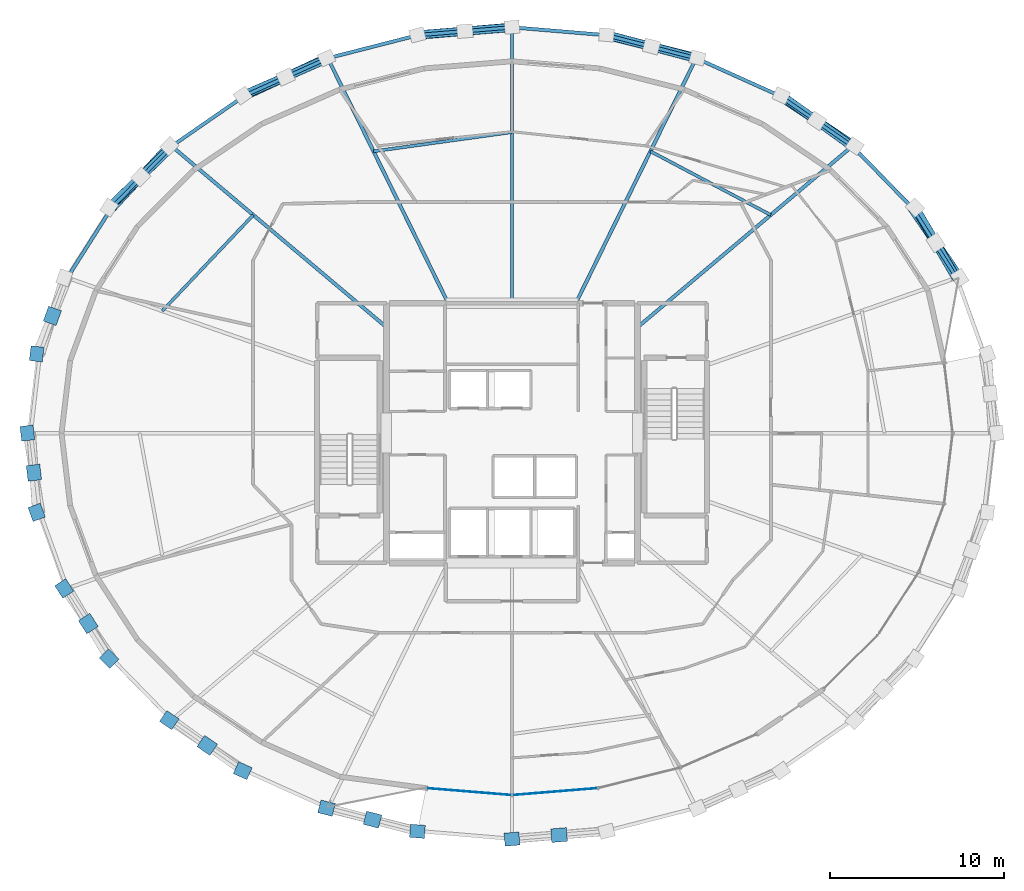
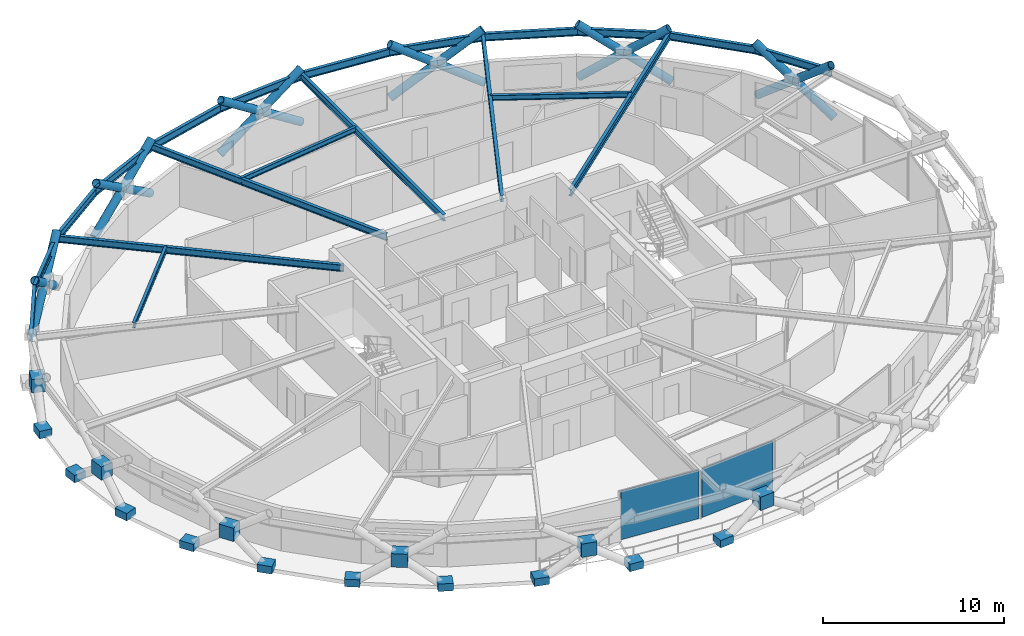
# One storey, part 11 of 17: 20 beams, 18 members, 18 plates, 1 element without a shape of its own.
"""IFC4 building model written with IfcOpenShell, lengths in metres."""

from ifc_helpers import new_model, si_unit, direction, frame, origin, origin_2d, place, context, subcontext, project, spatial, rectangle, hollow_circle, i_section, extrude, material, layer, layer_set, material_profile, profile_set, type_object, element, aggregate, save


model = new_model("IFC4")

# Units and contexts
model_context = context("Model", 3, precision=1e-05, world=origin(), true_north=direction((0.0, 1.0)))
body_context = subcontext(model_context, "Body", "Model", "MODEL_VIEW")
ifc_project = project(units=[si_unit("LENGTHUNIT", "METRE"), si_unit("AREAUNIT", "SQUARE_METRE"), si_unit("VOLUMEUNIT", "CUBIC_METRE"), si_unit("PLANEANGLEUNIT", "RADIAN"), si_unit("MASSUNIT", "GRAM", prefix="KILO")], contexts=[model_context])

# Site, building, storey
site_placement = place(None, origin())
site = spatial("IfcSite", under=ifc_project, at=site_placement, CompositionType="ELEMENT")
building_placement = place(site_placement, origin())
building = spatial("IfcBuilding", under=site, at=building_placement, Name="Veldorina Hangang Commons", CompositionType="ELEMENT")
storey_placement = place(building_placement, frame((0.0, 0.0, 178.39990234375)))
storey = spatial("IfcBuildingStorey", under=building, at=storey_placement, Name="L46", CompositionType="ELEMENT", Elevation=178.39990234375)

# Beams
ifc_material_1 = material(Name="Steel SM355-TMC", Category="steel")
ifc_material_profile_1 = material_profile(ifc_material_1, i_section(OverallWidth=0.199951171875, OverallDepth=0.449951171875, WebThickness=0.009033203125, FlangeThickness=0.013916015625, FilletRadius=0.01611328125, at=origin_2d()), Name="H-450x200x9x14")
ifc_profile_set_1 = profile_set([ifc_material_profile_1], Name="Steel SM355-TMC")
beam_type_1 = type_object("IfcBeamType", Name="BM-FG450", PredefinedType="BEAM", material=ifc_profile_set_1)
beam_1_placement = place(storey_placement, frame((39.199951171875, 30.07080078125, 3.125), z_axis=(0.764510758787, 0.644610967715, 0.0), x_axis=(-0.644610967715, 0.764510758787, 0.0)))
element("IfcBeam", 1, at=beam_1_placement, inside=storey, type_object=beam_type_1, Name="L46 radial floor girder 03", PredefinedType="BEAM", context=body_context, shape_type="SweptSolid", body=[
    extrude(i_section(OverallWidth=0.199951171875, OverallDepth=0.449951171875, WebThickness=0.009033203125, FlangeThickness=0.013916015625, FilletRadius=0.01611328125, at=origin_2d()), origin(), (0.0, 0.0, 1.0), 16.116455078125),
])
beam_2_placement = place(storey_placement, frame((35.659912109375, 31.449951171875, 3.125), z_axis=(0.440929218385, 0.897541878897, 0.0), x_axis=(-0.897541878897, 0.440929218385, 0.0)))
element("IfcBeam", 2, at=beam_2_placement, inside=storey, type_object=beam_type_1, Name="L46 radial floor girder 04", PredefinedType="BEAM", context=body_context, shape_type="SweptSolid", body=[
    extrude(i_section(OverallWidth=0.199951171875, OverallDepth=0.449951171875, WebThickness=0.009033203125, FlangeThickness=0.013916015625, FilletRadius=0.01611328125, at=origin_2d()), origin(), (0.0, 0.0, 1.0), 15.66015625),
])
beam_3_placement = place(storey_placement, frame((32.0, 31.449951171875, 3.125), z_axis=(0.0, 1.0, 0.0), x_axis=(-1.0, 0.0, 0.0)))
element("IfcBeam", 3, at=beam_3_placement, inside=storey, type_object=beam_type_1, Name="L46 radial floor girder 05", PredefinedType="BEAM", context=body_context, shape_type="SweptSolid", body=[
    extrude(i_section(OverallWidth=0.199951171875, OverallDepth=0.449951171875, WebThickness=0.009033203125, FlangeThickness=0.013916015625, FilletRadius=0.01611328125, at=origin_2d()), origin(), (0.0, 0.0, 1.0), 15.82763671875),
])
beam_4_placement = place(storey_placement, frame((28.340087890625, 31.449951171875, 3.125), z_axis=(-0.440929218385, 0.897541878897, 0.0), x_axis=(-0.897541878897, -0.440929218385, 0.0)))
element("IfcBeam", 4, at=beam_4_placement, inside=storey, type_object=beam_type_1, Name="L46 radial floor girder 06", PredefinedType="BEAM", context=body_context, shape_type="SweptSolid", body=[
    extrude(i_section(OverallWidth=0.199951171875, OverallDepth=0.449951171875, WebThickness=0.009033203125, FlangeThickness=0.013916015625, FilletRadius=0.01611328125, at=origin_2d()), origin(), (0.0, 0.0, 1.0), 15.66015625),
])
beam_5_placement = place(storey_placement, frame((24.800048828125, 30.07080078125, 3.125), z_axis=(-0.764510758787, 0.644610967715, 0.0), x_axis=(-0.644610967715, -0.764510758787, 0.0)))
element("IfcBeam", 5, at=beam_5_placement, inside=storey, type_object=beam_type_1, Name="L46 radial floor girder 07", PredefinedType="BEAM", context=body_context, shape_type="SweptSolid", body=[
    extrude(i_section(OverallWidth=0.199951171875, OverallDepth=0.449951171875, WebThickness=0.009033203125, FlangeThickness=0.013916015625, FilletRadius=0.01611328125, at=origin_2d()), origin(), (0.0, 0.0, 1.0), 16.116455078125),
])
ifc_material_profile_2 = material_profile(ifc_material_1, i_section(OverallWidth=0.175048828125, OverallDepth=0.35009765625, WebThickness=0.007080078125, FlangeThickness=0.010986328125, FilletRadius=0.012939453125, at=origin_2d()), Name="H-350x175x7x11")
ifc_profile_set_2 = profile_set([ifc_material_profile_2], Name="Steel SM355-TMC")
beam_type_2 = type_object("IfcBeamType", Name="BM-JST350", PredefinedType="JOIST", material=ifc_profile_set_2)
beam_6_placement = place(storey_placement, frame((46.839111328125, 36.511962890625, 3.175048828125), z_axis=(-0.883755960147, 0.467948077146, 0.0), x_axis=(-0.467948077146, -0.883755960147, 0.0)))
element("IfcBeam", 6, at=beam_6_placement, inside=storey, type_object=beam_type_2, Name="L46 secondary floor joist 03", PredefinedType="JOIST", context=body_context, shape_type="SweptSolid", body=[
    extrude(i_section(OverallWidth=0.175048828125, OverallDepth=0.35009765625, WebThickness=0.007080078125, FlangeThickness=0.010986328125, FilletRadius=0.012939453125, at=origin_2d()), origin(), (0.0, 0.0, 1.0), 7.805419921875),
])
beam_7_placement = place(storey_placement, frame((32.0, 41.262939453125, 3.175048828125), z_axis=(-0.990568889635, -0.137015600888, 0.0), x_axis=(0.137015600888, -0.990568889635, 0.0)))
element("IfcBeam", 7, at=beam_7_placement, inside=storey, type_object=beam_type_2, Name="L46 secondary floor joist 05", PredefinedType="JOIST", context=body_context, shape_type="SweptSolid", body=[
    extrude(i_section(OverallWidth=0.175048828125, OverallDepth=0.35009765625, WebThickness=0.007080078125, FlangeThickness=0.010986328125, FilletRadius=0.012939453125, at=origin_2d()), origin(), (0.0, 0.0, 1.0), 8.0166015625),
])
beam_8_placement = place(storey_placement, frame((17.160888671875, 36.511962890625, 3.175048828125), z_axis=(-0.688250446363, -0.725473171855, 0.0), x_axis=(0.725473171855, -0.688250446363, 0.0)))
element("IfcBeam", 8, at=beam_8_placement, inside=storey, type_object=beam_type_2, Name="L46 secondary floor joist 07", PredefinedType="JOIST", context=body_context, shape_type="SweptSolid", body=[
    extrude(i_section(OverallWidth=0.175048828125, OverallDepth=0.35009765625, WebThickness=0.007080078125, FlangeThickness=0.010986328125, FilletRadius=0.012939453125, at=origin_2d()), origin(), (0.0, 0.0, 1.0), 7.588623046875),
])
ifc_material_2 = material(Name="Steel SM420-TMC", Category="steel")
ifc_material_profile_3 = material_profile(ifc_material_2, i_section(OverallWidth=0.199951171875, OverallDepth=0.5, WebThickness=0.010009765625, FlangeThickness=0.01611328125, FilletRadius=0.01611328125, at=origin_2d()), Name="H-500x200x10x16")
ifc_profile_set_3 = profile_set([ifc_material_profile_3], Name="Steel SM420-TMC")
beam_type_3 = type_object("IfcBeamType", Name="BM-RB500", PredefinedType="BEAM", material=ifc_profile_set_3)
beam_9_placement = place(storey_placement, frame((57.505859375, 32.907958984375, 3.10009765625), z_axis=(-0.535445761576, 0.844569616083, 0.0), x_axis=(-0.844569616083, -0.535445761576, 0.0)))
element("IfcBeam", 9, at=beam_9_placement, inside=storey, type_object=beam_type_3, Name="L46 perimeter hoop ring beam 02", PredefinedType="BEAM", context=body_context, shape_type="SweptSolid", body=[
    extrude(i_section(OverallWidth=0.199951171875, OverallDepth=0.5, WebThickness=0.010009765625, FlangeThickness=0.01611328125, FilletRadius=0.01611328125, at=origin_2d()), origin(), (0.0, 0.0, 1.0), 4.7646484375),
])
beam_10_placement = place(storey_placement, frame((54.95458984375, 36.93212890625, 3.10009765625), z_axis=(-0.69746994306, 0.716614037351, 0.0), x_axis=(-0.716614037351, -0.69746994306, 0.0)))
element("IfcBeam", 10, at=beam_10_placement, inside=storey, type_object=beam_type_3, Name="L46 perimeter hoop ring beam 03", PredefinedType="BEAM", context=body_context, shape_type="SweptSolid", body=[
    extrude(i_section(OverallWidth=0.199951171875, OverallDepth=0.5, WebThickness=0.010009765625, FlangeThickness=0.01611328125, FilletRadius=0.01611328125, at=origin_2d()), origin(), (0.0, 0.0, 1.0), 4.922607421875),
])
beam_11_placement = place(storey_placement, frame((51.521240234375, 40.459716796875, 3.10009765625), z_axis=(-0.822335555999, 0.56900284124, 0.0), x_axis=(-0.56900284124, -0.822335555999, 0.0)))
element("IfcBeam", 11, at=beam_11_placement, inside=storey, type_object=beam_type_3, Name="L46 perimeter hoop ring beam 04", PredefinedType="BEAM", context=body_context, shape_type="SweptSolid", body=[
    extrude(i_section(OverallWidth=0.199951171875, OverallDepth=0.5, WebThickness=0.010009765625, FlangeThickness=0.01611328125, FilletRadius=0.01611328125, at=origin_2d()), origin(), (0.0, 0.0, 1.0), 5.08740234375),
])
beam_12_placement = place(storey_placement, frame((47.337646484375, 43.3544921875, 3.10009765625), z_axis=(-0.911677889798, 0.410905615991, 0.0), x_axis=(-0.410905615991, -0.911677889798, 0.0)))
element("IfcBeam", 12, at=beam_12_placement, inside=storey, type_object=beam_type_3, Name="L46 perimeter hoop ring beam 05", PredefinedType="BEAM", context=body_context, shape_type="SweptSolid", body=[
    extrude(i_section(OverallWidth=0.199951171875, OverallDepth=0.5, WebThickness=0.010009765625, FlangeThickness=0.01611328125, FilletRadius=0.01611328125, at=origin_2d()), origin(), (0.0, 0.0, 1.0), 5.235107421875),
])
beam_13_placement = place(storey_placement, frame((42.56494140625, 45.505615234375, 3.10009765625), z_axis=(-0.968820043196, 0.247765461478, 0.0), x_axis=(-0.247765461478, -0.968820043196, 0.0)))
element("IfcBeam", 13, at=beam_13_placement, inside=storey, type_object=beam_type_3, Name="L46 perimeter hoop ring beam 06", PredefinedType="BEAM", context=body_context, shape_type="SweptSolid", body=[
    extrude(i_section(OverallWidth=0.199951171875, OverallDepth=0.5, WebThickness=0.010009765625, FlangeThickness=0.01611328125, FilletRadius=0.01611328125, at=origin_2d()), origin(), (0.0, 0.0, 1.0), 5.345703125),
])
for number, where, z_axis, x_axis, name in (
    (14, (37.385986328125, 46.830078125, 3.10009765625), (-0.996565978673, 0.082802476719, 0.0), (-0.082802476719, -0.996565978673, 0.0), "L46 perimeter hoop ring beam 07"),
    (15, (32.0, 47.277587890625, 3.10009765625), (-0.996565978673, -0.082802476719, 0.0), (0.082802476719, -0.996565978673, 0.0), "L46 perimeter hoop ring beam 08"),
):
    element("IfcBeam", number, at=place(storey_placement, frame(where, z_axis=z_axis, x_axis=x_axis)), inside=storey, type_object=beam_type_3, Name=name, PredefinedType="BEAM", context=body_context, shape_type="SweptSolid", body=[
        extrude(i_section(OverallWidth=0.199951171875, OverallDepth=0.5, WebThickness=0.010009765625, FlangeThickness=0.01611328125, FilletRadius=0.01611328125, at=origin_2d()), origin(), (0.0, 0.0, 1.0), 5.404541015625),
    ])
beam_14_placement = place(storey_placement, frame((26.614013671875, 46.830078125, 3.10009765625), z_axis=(-0.968820043196, -0.247765461478, 0.0), x_axis=(0.247765461478, -0.968820043196, 0.0)))
element("IfcBeam", 16, at=beam_14_placement, inside=storey, type_object=beam_type_3, Name="L46 perimeter hoop ring beam 09", PredefinedType="BEAM", context=body_context, shape_type="SweptSolid", body=[
    extrude(i_section(OverallWidth=0.199951171875, OverallDepth=0.5, WebThickness=0.010009765625, FlangeThickness=0.01611328125, FilletRadius=0.01611328125, at=origin_2d()), origin(), (0.0, 0.0, 1.0), 5.345703125),
])
beam_15_placement = place(storey_placement, frame((21.43505859375, 45.505615234375, 3.10009765625), z_axis=(-0.911677889798, -0.410905615991, 0.0), x_axis=(0.410905615991, -0.911677889798, 0.0)))
element("IfcBeam", 17, at=beam_15_placement, inside=storey, type_object=beam_type_3, Name="L46 perimeter hoop ring beam 10", PredefinedType="BEAM", context=body_context, shape_type="SweptSolid", body=[
    extrude(i_section(OverallWidth=0.199951171875, OverallDepth=0.5, WebThickness=0.010009765625, FlangeThickness=0.01611328125, FilletRadius=0.01611328125, at=origin_2d()), origin(), (0.0, 0.0, 1.0), 5.235107421875),
])
beam_16_placement = place(storey_placement, frame((16.662353515625, 43.3544921875, 3.10009765625), z_axis=(-0.822335555999, -0.56900284124, 0.0), x_axis=(0.56900284124, -0.822335555999, 0.0)))
element("IfcBeam", 18, at=beam_16_placement, inside=storey, type_object=beam_type_3, Name="L46 perimeter hoop ring beam 11", PredefinedType="BEAM", context=body_context, shape_type="SweptSolid", body=[
    extrude(i_section(OverallWidth=0.199951171875, OverallDepth=0.5, WebThickness=0.010009765625, FlangeThickness=0.01611328125, FilletRadius=0.01611328125, at=origin_2d()), origin(), (0.0, 0.0, 1.0), 5.08740234375),
])
beam_17_placement = place(storey_placement, frame((12.478759765625, 40.459716796875, 3.10009765625), z_axis=(-0.69746994306, -0.716614037351, 0.0), x_axis=(0.716614037351, -0.69746994306, 0.0)))
element("IfcBeam", 19, at=beam_17_placement, inside=storey, type_object=beam_type_3, Name="L46 perimeter hoop ring beam 12", PredefinedType="BEAM", context=body_context, shape_type="SweptSolid", body=[
    extrude(i_section(OverallWidth=0.199951171875, OverallDepth=0.5, WebThickness=0.010009765625, FlangeThickness=0.01611328125, FilletRadius=0.01611328125, at=origin_2d()), origin(), (0.0, 0.0, 1.0), 4.922607421875),
])
beam_18_placement = place(storey_placement, frame((9.04541015625, 36.93212890625, 3.10009765625), z_axis=(-0.535445761576, -0.844569616083, 0.0), x_axis=(0.844569616083, -0.535445761576, 0.0)))
element("IfcBeam", 20, at=beam_18_placement, inside=storey, type_object=beam_type_3, Name="L46 perimeter hoop ring beam 13", PredefinedType="BEAM", context=body_context, shape_type="SweptSolid", body=[
    extrude(i_section(OverallWidth=0.199951171875, OverallDepth=0.5, WebThickness=0.010009765625, FlangeThickness=0.01611328125, FilletRadius=0.01611328125, at=origin_2d()), origin(), (0.0, 0.0, 1.0), 4.7646484375),
])

# Members
ifc_material_profile_4 = material_profile(ifc_material_2, hollow_circle(Radius=0.25, WallThickness=0.02490234375, at=origin_2d()), Name="CHS-500x25")
ifc_profile_set_4 = profile_set([ifc_material_profile_4], Name="Steel SM420-TMC")
member_type = type_object("IfcMemberType", Name="DG-CHS500", PredefinedType="BRACE", material=ifc_profile_set_4)
member_1_placement = place(storey_placement, frame((57.683349609375, 32.911865234375, 0.0), z_axis=(-0.4546737108, 0.663453689144, 0.594223038151), x_axis=(-0.82488305035, -0.565303416976, 0.0)))
element("IfcMember", 21, at=member_1_placement, inside=storey, type_object=member_type, Name="L46 continuous perimeter diagrid brace 02", PredefinedType="BRACE", context=body_context, shape_type="SweptSolid", body=[
    extrude(hollow_circle(Radius=0.25, WallThickness=0.02490234375, at=origin_2d()), origin(), (0.0, 0.0, 1.0), 6.05859375),
])
member_2_placement = place(storey_placement, frame((55.114501953125, 36.93798828125, 0.0), z_axis=(0.40290023416, -0.68194564567, 0.610427340202), x_axis=(0.86096393169, 0.508666008623, 0.0)))
element("IfcMember", 22, at=member_2_placement, inside=storey, type_object=member_type, Name="L46 split perimeter diagrid lower brace 03", PredefinedType="BRACE", context=body_context, shape_type="SweptSolid", body=[
    extrude(hollow_circle(Radius=0.25, WallThickness=0.02490234375, at=origin_2d()), origin(), (0.0, 0.0, 1.0), 2.952880859375),
])
member_3_placement = place(storey_placement, frame((56.30419921875, 34.92431640625, 1.802490234375), z_axis=(0.398192130952, -0.684817524132, 0.610301552915), x_axis=(0.864483924419, 0.502660466341, 0.0)))
element("IfcMember", 23, at=member_3_placement, inside=storey, type_object=member_type, Name="L46 split perimeter diagrid upper brace 03", PredefinedType="BRACE", context=body_context, shape_type="SweptSolid", body=[
    extrude(hollow_circle(Radius=0.25, WallThickness=0.02490234375, at=origin_2d()), origin(), (0.0, 0.0, 1.0), 2.945556640625),
])
member_4_placement = place(storey_placement, frame((51.6572265625, 40.467041015625, 0.0), z_axis=(-0.684863587426, 0.455766056801, 0.56854126331), x_axis=(-0.554018631447, -0.832504267862, 0.0)))
element("IfcMember", 24, at=member_4_placement, inside=storey, type_object=member_type, Name="L46 continuous perimeter diagrid brace 04", PredefinedType="BRACE", context=body_context, shape_type="SweptSolid", body=[
    extrude(hollow_circle(Radius=0.25, WallThickness=0.02490234375, at=origin_2d()), origin(), (0.0, 0.0, 1.0), 6.332275390625),
])
member_5_placement = place(storey_placement, frame((47.444580078125, 43.36328125, 0.0), z_axis=(0.66080123505, -0.469874955829, 0.585285617149), x_axis=(0.579500732718, 0.814971717779, 0.0)))
element("IfcMember", 25, at=member_5_placement, inside=storey, type_object=member_type, Name="L46 split perimeter diagrid lower brace 05", PredefinedType="BRACE", context=body_context, shape_type="SweptSolid", body=[
    extrude(hollow_circle(Radius=0.25, WallThickness=0.02490234375, at=origin_2d()), origin(), (0.0, 0.0, 1.0), 3.084228515625),
])
member_6_placement = place(storey_placement, frame((49.482666015625, 41.9140625, 1.80517578125), z_axis=(0.657494644734, -0.47457422178, 0.585217993715), x_axis=(0.585261146322, 0.810844862231, 0.0)))
element("IfcMember", 26, at=member_6_placement, inside=storey, type_object=member_type, Name="L46 split perimeter diagrid upper brace 05", PredefinedType="BRACE", context=body_context, shape_type="SweptSolid", body=[
    extrude(hollow_circle(Radius=0.25, WallThickness=0.02490234375, at=origin_2d()), origin(), (0.0, 0.0, 1.0), 3.067138671875),
])
member_7_placement = place(storey_placement, frame((42.638427734375, 45.51513671875, 0.0), z_axis=(-0.808163623325, 0.201862681345, 0.553283847419), x_axis=(-0.242334248689, -0.970192822027, 0.0)))
element("IfcMember", 27, at=member_7_placement, inside=storey, type_object=member_type, Name="L46 continuous perimeter diagrid brace 06", PredefinedType="BRACE", context=body_context, shape_type="SweptSolid", body=[
    extrude(hollow_circle(Radius=0.25, WallThickness=0.02490234375, at=origin_2d()), origin(), (0.0, 0.0, 1.0), 6.5068359375),
])
member_8_placement = place(storey_placement, frame((37.42333984375, 46.84033203125, 0.0), z_axis=(0.800900537084, -0.207095418499, 0.561845011845), x_axis=(0.250344263178, 0.968156882893, 0.0)))
element("IfcMember", 28, at=member_8_placement, inside=storey, type_object=member_type, Name="L46 split perimeter diagrid lower brace 07", PredefinedType="BRACE", context=body_context, shape_type="SweptSolid", body=[
    extrude(hollow_circle(Radius=0.25, WallThickness=0.02490234375, at=origin_2d()), origin(), (0.0, 0.0, 1.0), 3.216064453125),
])
member_9_placement = place(storey_placement, frame((39.9990234375, 46.17431640625, 1.806884765625), z_axis=(0.80015503123, -0.210039739581, 0.56181423424), x_axis=(0.253897047158, 0.967231249208, 0.0)))
element("IfcMember", 29, at=member_9_placement, inside=storey, type_object=member_type, Name="L46 split perimeter diagrid upper brace 07", PredefinedType="BRACE", context=body_context, shape_type="SweptSolid", body=[
    extrude(hollow_circle(Radius=0.25, WallThickness=0.02490234375, at=origin_2d()), origin(), (0.0, 0.0, 1.0), 3.19189453125),
])
member_10_placement = place(storey_placement, frame((32.0, 47.287841796875, 0.0), z_axis=(-0.82900240349, -0.070763910009, 0.554749929291), x_axis=(0.085051024646, -0.996376597079, 0.0)))
element("IfcMember", 30, at=member_10_placement, inside=storey, type_object=member_type, Name="L46 continuous perimeter diagrid brace 08", PredefinedType="BRACE", context=body_context, shape_type="SweptSolid", body=[
    extrude(hollow_circle(Radius=0.25, WallThickness=0.02490234375, at=origin_2d()), origin(), (0.0, 0.0, 1.0), 6.489501953125),
])
member_11_placement = place(storey_placement, frame((26.57666015625, 46.84033203125, 0.0), z_axis=(0.831309140132, 0.066269173743, 0.551845549175), x_axis=(-0.079464554195, 0.996837692218, 0.0)))
element("IfcMember", 31, at=member_11_placement, inside=storey, type_object=member_type, Name="L46 split perimeter diagrid lower brace 09", PredefinedType="BRACE", context=body_context, shape_type="SweptSolid", body=[
    extrude(hollow_circle(Radius=0.25, WallThickness=0.02490234375, at=origin_2d()), origin(), (0.0, 0.0, 1.0), 3.275146484375),
])
member_12_placement = place(storey_placement, frame((29.29931640625, 47.057373046875, 1.807373046875), z_axis=(0.831263004139, 0.067255504312, 0.551795718622), x_axis=(-0.080644092399, 0.996742961029, 0.0)))
element("IfcMember", 32, at=member_12_placement, inside=storey, type_object=member_type, Name="L46 split perimeter diagrid upper brace 09", PredefinedType="BRACE", context=body_context, shape_type="SweptSolid", body=[
    extrude(hollow_circle(Radius=0.25, WallThickness=0.02490234375, at=origin_2d()), origin(), (0.0, 0.0, 1.0), 3.248779296875),
])
member_13_placement = place(storey_placement, frame((21.361572265625, 45.51513671875, 0.0), z_axis=(-0.744436346632, -0.343765162466, 0.572398496581), x_axis=(0.419238290102, -0.907876233918, 0.0)))
element("IfcMember", 33, at=member_13_placement, inside=storey, type_object=member_type, Name="L46 continuous perimeter diagrid brace 10", PredefinedType="BRACE", context=body_context, shape_type="SweptSolid", body=[
    extrude(hollow_circle(Radius=0.25, WallThickness=0.02490234375, at=origin_2d()), origin(), (0.0, 0.0, 1.0), 6.28955078125),
])
member_14_placement = place(storey_placement, frame((16.555419921875, 43.36328125, 0.0), z_axis=(0.760537743423, 0.330284200348, 0.559012243005), x_axis=(-0.398336194431, 0.917239486833, 0.0)))
element("IfcMember", 34, at=member_14_placement, inside=storey, type_object=member_type, Name="L46 split perimeter diagrid lower brace 11", PredefinedType="BRACE", context=body_context, shape_type="SweptSolid", body=[
    extrude(hollow_circle(Radius=0.25, WallThickness=0.02490234375, at=origin_2d()), origin(), (0.0, 0.0, 1.0), 3.23095703125),
])
member_15_placement = place(storey_placement, frame((19.0126953125, 44.430419921875, 1.80615234375), z_axis=(0.75863480377, 0.334541894712, 0.559066145632), x_axis=(-0.403488832696, 0.914984569209, 0.0)))
element("IfcMember", 35, at=member_15_placement, inside=storey, type_object=member_type, Name="L46 split perimeter diagrid upper brace 11", PredefinedType="BRACE", context=body_context, shape_type="SweptSolid", body=[
    extrude(hollow_circle(Radius=0.25, WallThickness=0.02490234375, at=origin_2d()), origin(), (0.0, 0.0, 1.0), 3.208740234375),
])
member_16_placement = place(storey_placement, frame((12.3427734375, 40.467041015625, 0.0), z_axis=(-0.544008953168, -0.587935646252, 0.598653434583), x_axis=(0.733994581924, -0.679155323697, 0.0)))
element("IfcMember", 36, at=member_16_placement, inside=storey, type_object=member_type, Name="L46 continuous perimeter diagrid brace 12", PredefinedType="BRACE", context=body_context, shape_type="SweptSolid", body=[
    extrude(hollow_circle(Radius=0.25, WallThickness=0.02490234375, at=origin_2d()), origin(), (0.0, 0.0, 1.0), 6.013671875),
])
member_17_placement = place(storey_placement, frame((8.885498046875, 36.93798828125, 0.0), z_axis=(0.585307077238, 0.565815180481, 0.580748488481), x_axis=(-0.695033742152, 0.718977118739, 0.0)))
element("IfcMember", 37, at=member_17_placement, inside=storey, type_object=member_type, Name="L46 split perimeter diagrid lower brace 13", PredefinedType="BRACE", context=body_context, shape_type="SweptSolid", body=[
    extrude(hollow_circle(Radius=0.25, WallThickness=0.02490234375, at=origin_2d()), origin(), (0.0, 0.0, 1.0), 3.106201171875),
])
member_18_placement = place(storey_placement, frame((10.70361328125, 38.695556640625, 1.803955078125), z_axis=(0.581116789834, 0.570064439531, 0.580801008397), x_axis=(-0.700285661072, 0.713862726928, 0.0)))
element("IfcMember", 38, at=member_18_placement, inside=storey, type_object=member_type, Name="L46 split perimeter diagrid upper brace 13", PredefinedType="BRACE", context=body_context, shape_type="SweptSolid", body=[
    extrude(hollow_circle(Radius=0.25, WallThickness=0.02490234375, at=origin_2d()), origin(), (0.0, 0.0, 1.0), 3.092529296875),
])

# Curtain wall, plates
ifc_material_3 = material(Name="Glass Low-E Triple IGU", Category="glass")
ifc_layer_1 = layer(ifc_material_3, 0.179931640625)
ifc_layer_set_1 = layer_set([ifc_layer_1], Name="Glass Low-E Triple IGU")
curtain_wall_type = type_object("IfcCurtainWallType", Name="CW-SYS-Z2", PredefinedType="NOTDEFINED", material=ifc_layer_set_1)
curtain_wall_placement = place(storey_placement, origin())
curtain_wall = element("IfcCurtainWall", 39, at=curtain_wall_placement, inside=storey, type_object=curtain_wall_type, Name="L46 unitised curtain wall CW-L46-R1", PredefinedType="NOTDEFINED")
ifc_layer_2 = layer(ifc_material_3, 0.0400390625)
ifc_layer_set_2 = layer_set([ifc_layer_2], Name="Glass Low-E Triple IGU")
plate_type_1 = type_object("IfcPlateType", Name="CW-PNL-VIS", PredefinedType="CURTAIN_PANEL", material=ifc_layer_set_2)
plate_1_placement = place(storey_placement, frame((29.5341796875, 3.431640625, 0.01513671875), z_axis=(0.0, 0.0, 1.0), x_axis=(0.996743790189, -0.080633843514, 0.0)))
plate_1 = element("IfcPlate", 40, at=plate_1_placement, type_object=plate_type_1, Name="CW-L46-R1 facet 1 glazed vision panel", PredefinedType="CURTAIN_PANEL", context=body_context, shape_type="SweptSolid", body=[
    extrude(rectangle(XDim=4.767822265625, YDim=0.0400390625, at=origin_2d()), origin(), (0.0, 0.0, 1.0), 3.280029296875),
])
plate_2_placement = place(storey_placement, frame((34.4658203125, 3.431640625, 0.01513671875), z_axis=(0.0, 0.0, 1.0), x_axis=(0.996743790189, 0.080633843514, 0.0)))
plate_2 = element("IfcPlate", 41, at=plate_2_placement, type_object=plate_type_1, Name="CW-L46-R1 facet 2 glazed vision panel", PredefinedType="CURTAIN_PANEL", context=body_context, shape_type="SweptSolid", body=[
    extrude(rectangle(XDim=4.767822265625, YDim=0.0400390625, at=origin_2d()), origin(), (0.0, 0.0, 1.0), 3.280029296875),
])
aggregate(curtain_wall, [plate_1, plate_2])

# Plates
ifc_material_4 = material(Name="Steel SM460-TMC", Category="steel")
ifc_layer_3 = layer(ifc_material_4, 0.035888671875)
ifc_layer_set_3 = layer_set([ifc_layer_3], Name="Steel SM460-TMC")
plate_type_2 = type_object("IfcPlateType", Name="PL-STAR-36", PredefinedType="USERDEFINED", material=ifc_layer_set_3)
plate_3_placement = place(storey_placement, frame((5.634765625, 30.724853515625, 1.3515625), z_axis=(0.0, 0.0, 1.0), x_axis=(-0.340461604536, -0.940258419711, 0.0)))
element("IfcPlate", 42, at=plate_3_placement, inside=storey, type_object=plate_type_2, Name="L46 diagrid X-crossing star-node gusset plate 14", ObjectType="GUSSET PLATE", PredefinedType="USERDEFINED", context=body_context, shape_type="SweptSolid", body=[
    extrude(rectangle(XDim=0.89990234375, YDim=0.780029296875, at=origin_2d()), origin(), (0.0, 0.0, 1.0), 0.89990234375),
])
for number, where, z_axis, x_axis, name in (
    (43, (4.734619140625, 28.543212890625, -0.08984375), (0.0, 0.0, 1.0), (-0.116774741047, -0.993158426362, 0.0), "L46 diagrid star-node gusset plate 15"),
    (44, (4.200439453125, 24.0, -0.08984375), (0.0, 0.0, 1.0), (0.116774741047, -0.993158426362, 0.0), "L46 diagrid star-node gusset plate 16"),
):
    element("IfcPlate", number, at=place(storey_placement, frame(where, z_axis=z_axis, x_axis=x_axis)), inside=storey, type_object=plate_type_2, Name=name, ObjectType="GUSSET PLATE", PredefinedType="USERDEFINED", context=body_context, shape_type="SweptSolid", body=[
        extrude(rectangle(XDim=0.85009765625, YDim=0.75, at=origin_2d()), origin(), (0.0, 0.0, 1.0), 0.5),
    ])
plate_4_placement = place(storey_placement, frame((4.5771484375, 21.72900390625, 1.3505859375), z_axis=(0.0, 0.0, 1.0), x_axis=(0.116774741047, -0.993158426362, 0.0)))
element("IfcPlate", 45, at=plate_4_placement, inside=storey, type_object=plate_type_2, Name="L46 diagrid X-crossing star-node gusset plate 16", ObjectType="GUSSET PLATE", PredefinedType="USERDEFINED", context=body_context, shape_type="SweptSolid", body=[
    extrude(rectangle(XDim=0.89990234375, YDim=0.780029296875, at=origin_2d()), origin(), (0.0, 0.0, 1.0), 0.89990234375),
])
for number, where, z_axis, x_axis, name in (
    (46, (4.734619140625, 19.456787109375, -0.08984375), (0.0, 0.0, 1.0), (0.340461604536, -0.940258419711, 0.0), "L46 diagrid star-node gusset plate 17"),
    (47, (6.316650390625, 15.088134765625, -0.08984375), (0.0, 0.0, 1.0), (0.537902988992, -0.843006746375, 0.0), "L46 diagrid star-node gusset plate 18"),
):
    element("IfcPlate", number, at=place(storey_placement, frame(where, z_axis=z_axis, x_axis=x_axis)), inside=storey, type_object=plate_type_2, Name=name, ObjectType="GUSSET PLATE", PredefinedType="USERDEFINED", context=body_context, shape_type="SweptSolid", body=[
        extrude(rectangle(XDim=0.85009765625, YDim=0.75, at=origin_2d()), origin(), (0.0, 0.0, 1.0), 0.5),
    ])
plate_5_placement = place(storey_placement, frame((7.69580078125, 13.07568359375, 1.3525390625), z_axis=(0.0, 0.0, 1.0), x_axis=(0.537902988992, -0.843006746375, 0.0)))
element("IfcPlate", 48, at=plate_5_placement, inside=storey, type_object=plate_type_2, Name="L46 diagrid X-crossing star-node gusset plate 18", ObjectType="GUSSET PLATE", PredefinedType="USERDEFINED", context=body_context, shape_type="SweptSolid", body=[
    extrude(rectangle(XDim=0.89990234375, YDim=0.780029296875, at=origin_2d()), origin(), (0.0, 0.0, 1.0), 0.89990234375),
])
for number, where, z_axis, x_axis, name in (
    (49, (8.885498046875, 11.06201171875, -0.08984375), (0.0, 0.0, 1.0), (0.699812963975, -0.714326126816, 0.0), "L46 diagrid star-node gusset plate 19"),
    (50, (12.3427734375, 7.532958984375, -0.08984375), (0.0, 0.0, 1.0), (0.824037207571, -0.566535683376, 0.0), "L46 diagrid star-node gusset plate 20"),
):
    element("IfcPlate", number, at=place(storey_placement, frame(where, z_axis=z_axis, x_axis=x_axis)), inside=storey, type_object=plate_type_2, Name=name, ObjectType="GUSSET PLATE", PredefinedType="USERDEFINED", context=body_context, shape_type="SweptSolid", body=[
        extrude(rectangle(XDim=0.85009765625, YDim=0.75, at=origin_2d()), origin(), (0.0, 0.0, 1.0), 0.5),
    ])
plate_6_placement = place(storey_placement, frame((14.517333984375, 6.0859375, 1.355224609375), z_axis=(0.0, 0.0, 1.0), x_axis=(0.824037207571, -0.566535683376, 0.0)))
element("IfcPlate", 51, at=plate_6_placement, inside=storey, type_object=plate_type_2, Name="L46 diagrid X-crossing star-node gusset plate 20", ObjectType="GUSSET PLATE", PredefinedType="USERDEFINED", context=body_context, shape_type="SweptSolid", body=[
    extrude(rectangle(XDim=0.89990234375, YDim=0.780029296875, at=origin_2d()), origin(), (0.0, 0.0, 1.0), 0.89990234375),
])
for number, where, z_axis, x_axis, name in (
    (52, (16.555419921875, 4.63671875, -0.08984375), (0.0, 0.0, 1.0), (0.912684454993, -0.408665004147, 0.0), "L46 diagrid star-node gusset plate 21"),
    (53, (21.361572265625, 2.48486328125, -0.08984375), (0.0, 0.0, 1.0), (0.969196530776, -0.246288620794, 0.0), "L46 diagrid star-node gusset plate 22"),
):
    element("IfcPlate", number, at=place(storey_placement, frame(where, z_axis=z_axis, x_axis=x_axis)), inside=storey, type_object=plate_type_2, Name=name, ObjectType="GUSSET PLATE", PredefinedType="USERDEFINED", context=body_context, shape_type="SweptSolid", body=[
        extrude(rectangle(XDim=0.85009765625, YDim=0.75, at=origin_2d()), origin(), (0.0, 0.0, 1.0), 0.5),
    ])
plate_7_placement = place(storey_placement, frame((24.0009765625, 1.82568359375, 1.35693359375), z_axis=(0.0, 0.0, 1.0), x_axis=(0.969196530776, -0.246288620794, 0.0)))
element("IfcPlate", 54, at=plate_7_placement, inside=storey, type_object=plate_type_2, Name="L46 diagrid X-crossing star-node gusset plate 22", ObjectType="GUSSET PLATE", PredefinedType="USERDEFINED", context=body_context, shape_type="SweptSolid", body=[
    extrude(rectangle(XDim=0.89990234375, YDim=0.780029296875, at=origin_2d()), origin(), (0.0, 0.0, 1.0), 0.89990234375),
])
for number, where, z_axis, x_axis, name in (
    (55, (26.57666015625, 1.15966796875, -0.08984375), (0.0, 0.0, 1.0), (0.996613031304, -0.082234213284, 0.0), "L46 diagrid star-node gusset plate 23"),
    (56, (32.0, 0.712158203125, -0.08984375), (0.0, 0.0, 1.0), (0.996613031304, 0.082234213284, 0.0), "L46 diagrid star-node gusset plate 24"),
):
    element("IfcPlate", number, at=place(storey_placement, frame(where, z_axis=z_axis, x_axis=x_axis)), inside=storey, type_object=plate_type_2, Name=name, ObjectType="GUSSET PLATE", PredefinedType="USERDEFINED", context=body_context, shape_type="SweptSolid", body=[
        extrude(rectangle(XDim=0.85009765625, YDim=0.75, at=origin_2d()), origin(), (0.0, 0.0, 1.0), 0.5),
    ])
plate_8_placement = place(storey_placement, frame((34.70068359375, 0.942626953125, 1.357421875), z_axis=(0.0, 0.0, 1.0), x_axis=(0.996613031304, 0.082234213284, 0.0)))
element("IfcPlate", 57, at=plate_8_placement, inside=storey, type_object=plate_type_2, Name="L46 diagrid X-crossing star-node gusset plate 24", ObjectType="GUSSET PLATE", PredefinedType="USERDEFINED", context=body_context, shape_type="SweptSolid", body=[
    extrude(rectangle(XDim=0.89990234375, YDim=0.780029296875, at=origin_2d()), origin(), (0.0, 0.0, 1.0), 0.89990234375),
])

save(model, "model.ifc")
